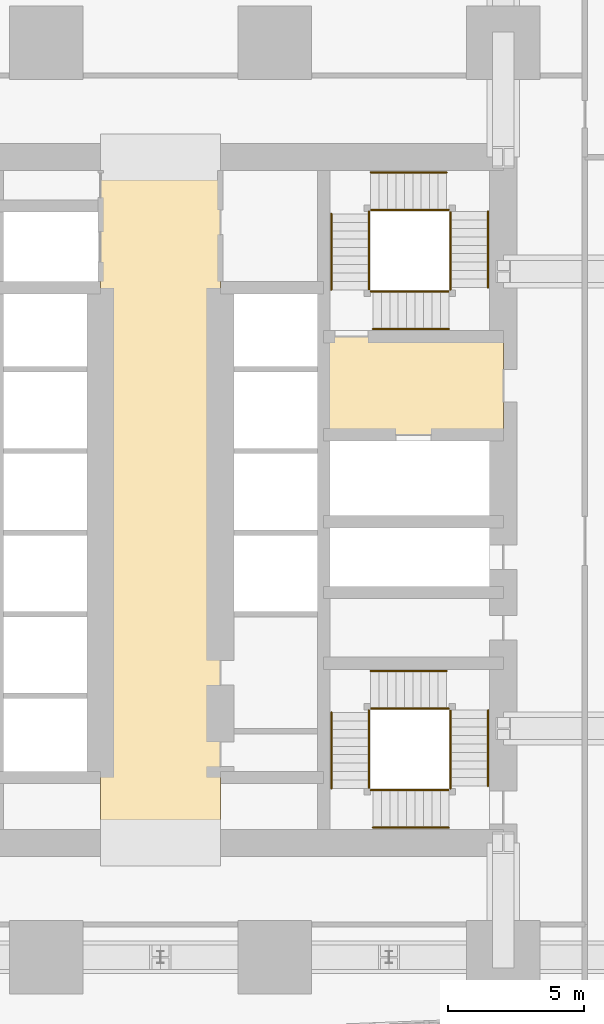
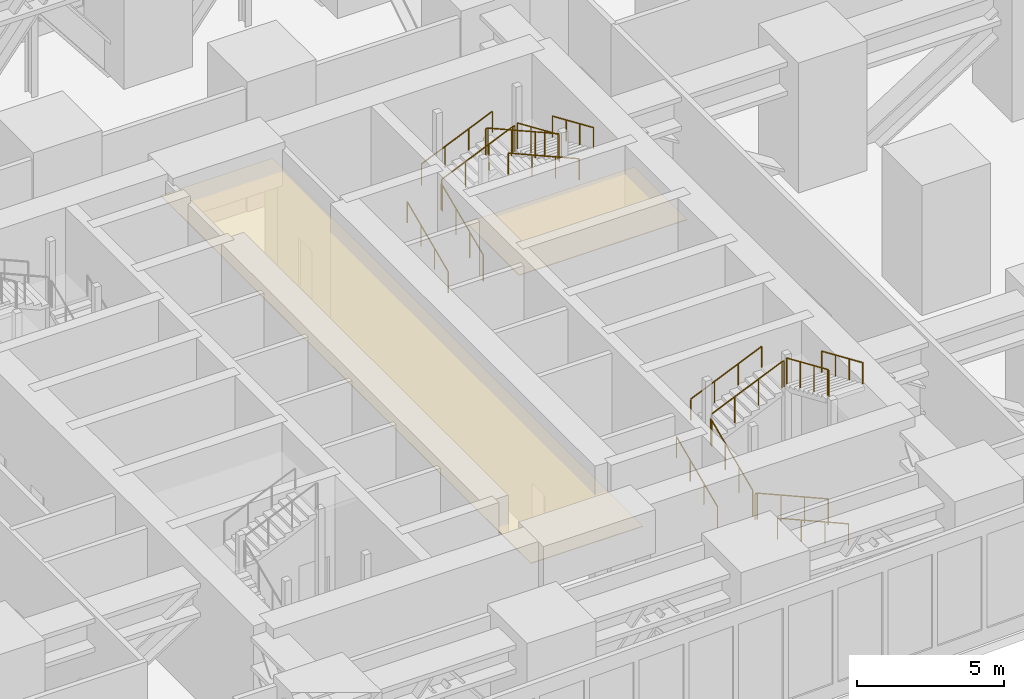
# One storey, part 16 of 16: 24 railings, 2 coverings.
"""IFC4 building model written with IfcOpenShell, lengths in metres."""

from ifc_helpers import new_model, si_unit, direction, frame, origin, origin_2d, place, context, subcontext, project, spatial, polyline, circle, outline, extrude, material, layer, layer_set, type_object, element, save


model = new_model("IFC4")

# Units and contexts
model_context = context("Model", 3, precision=1e-05, world=origin(), true_north=direction((0.0, 1.0)))
body_context = subcontext(model_context, "Body", "Model", "MODEL_VIEW")
ifc_project = project(units=[si_unit("LENGTHUNIT", "METRE"), si_unit("AREAUNIT", "SQUARE_METRE"), si_unit("VOLUMEUNIT", "CUBIC_METRE"), si_unit("PLANEANGLEUNIT", "RADIAN"), si_unit("MASSUNIT", "GRAM", prefix="KILO")], contexts=[model_context])

# Site, building, storey
site_placement = place(None, origin())
site = spatial("IfcSite", under=ifc_project, at=site_placement, CompositionType="ELEMENT")
building_placement = place(site_placement, origin())
building = spatial("IfcBuilding", under=site, at=building_placement, Name="Rekha Terrace Tower", CompositionType="ELEMENT")
storey_placement = place(building_placement, frame((0.0, 0.0, 162.800048828125)))
storey = spatial("IfcBuildingStorey", under=building, at=storey_placement, Name="L41", CompositionType="ELEMENT", Elevation=162.800048828125)

# Coverings
ifc_material_1 = material(Name="Powder-coated aluminium pan", Category="aluminium")
ifc_layer = layer(ifc_material_1, 0.030029296875)
ifc_layer_set = layer_set([ifc_layer], Name="Powder-coated aluminium pan")
covering_type = type_object("IfcCoveringType", Name="CL3 300x1200 metal pan ceiling", PredefinedType="CEILING", material=ifc_layer_set)
covering_1_placement = place(storey_placement, frame((0.0, 0.0, 4.169921875)))
element("IfcCovering", 1, at=covering_1_placement, inside=storey, type_object=covering_type, Name="Ceiling L41-LOBBY", PredefinedType="CEILING", context=body_context, shape_type="SweptSolid", body=[
    extrude(outline(polyline([(40.0, 46.199951171875), (35.60009765625, 46.199951171875), (35.60009765625, 21.0), (40.0, 21.0), (40.0, 46.199951171875)])), origin(), (0.0, 0.0, 1.0), 0.030029296875),
])
covering_2_placement = place(storey_placement, frame((0.0, 0.0, 4.169921875)))
element("IfcCovering", 2, at=covering_2_placement, inside=storey, type_object=covering_type, Name="Ceiling L41-FLB2", PredefinedType="CEILING", context=body_context, shape_type="SweptSolid", body=[
    extrude(outline(polyline([(50.39990234375, 39.60009765625), (43.800048828125, 39.60009765625), (43.800048828125, 36.0), (50.39990234375, 36.0), (50.39990234375, 39.60009765625)])), origin(), (0.0, 0.0, 1.0), 0.030029296875),
])

# Railings
ifc_material_2 = material(Name="Stainless steel balustrade", Category="steel")
railing_type_1 = type_object("IfcRailingType", Name="GR1 1100 stair guard", PredefinedType="GUARDRAIL", material=ifc_material_2)
railing_1_placement = place(storey_placement, frame((45.465087890625, 41.324951171875, 0.135009765625)))
element("IfcRailing", 3, at=railing_1_placement, inside=storey, type_object=railing_type_1, Name="Guard ST2 L41 flight 1", PredefinedType="GUARDRAIL", context=body_context, shape_type="SweptSolid", body=[
    extrude(circle(Radius=0.02392578125, at=origin_2d()), frame((0.0, 0.0, 1.076171875), z_axis=(0.0, 0.916855640006, 0.399218906604), x_axis=(-1.0, 0.0, 0.0)), (0.0, 0.0, 1.0), 3.04296875),
    extrude(circle(Radius=0.02099609375, at=origin_2d()), origin(), (0.0, 0.0, 1.0), 1.052001953125),
    extrude(circle(Radius=0.02099609375, at=origin_2d()), frame((0.0, 0.929931640625, 0.405029296875)), (0.0, 0.0, 1.0), 1.052001953125),
    extrude(circle(Radius=0.02099609375, at=origin_2d()), frame((0.0, 1.860107421875, 0.809814453125)), (0.0, 0.0, 1.0), 1.052001953125),
    extrude(circle(Radius=0.02099609375, at=origin_2d()), frame((0.0, 2.7900390625, 1.21484375)), (0.0, 0.0, 1.0), 1.052001953125),
])
railing_2_placement = place(storey_placement, frame((45.52490234375, 44.260009765625, 1.48486328125)))
element("IfcRailing", 4, at=railing_2_placement, inside=storey, type_object=railing_type_1, Name="Guard ST2 L41 flight 2", PredefinedType="GUARDRAIL", context=body_context, shape_type="SweptSolid", body=[
    extrude(circle(Radius=0.02392578125, at=origin_2d()), frame((0.0, 0.0, 1.076171875), z_axis=(0.916826272601, 0.0, 0.399286345707), x_axis=(0.0, 1.0, 0.0)), (0.0, 0.0, 1.0), 3.043212890625),
    extrude(circle(Radius=0.02099609375, at=origin_2d()), origin(), (0.0, 0.0, 1.0), 1.052001953125),
    extrude(circle(Radius=0.02099609375, at=origin_2d()), frame((0.929931640625, 0.0, 0.405029296875)), (0.0, 0.0, 1.0), 1.052001953125),
    extrude(circle(Radius=0.02099609375, at=origin_2d()), frame((1.860107421875, 0.0, 0.81005859375)), (0.0, 0.0, 1.0), 1.052001953125),
    extrude(circle(Radius=0.02099609375, at=origin_2d()), frame((2.7900390625, 0.0, 1.215087890625)), (0.0, 0.0, 1.0), 1.052001953125),
])
railing_3_placement = place(storey_placement, frame((48.4599609375, 44.199951171875, 2.8349609375)))
element("IfcRailing", 5, at=railing_3_placement, inside=storey, type_object=railing_type_1, Name="Guard ST2 L41 flight 3", PredefinedType="GUARDRAIL", context=body_context, shape_type="SweptSolid", body=[
    extrude(circle(Radius=0.02392578125, at=origin_2d()), frame((0.0, 0.0, 1.076171875), z_axis=(0.0, -0.916826272601, 0.399286345707), x_axis=(1.0, 0.0, 0.0)), (0.0, 0.0, 1.0), 3.043212890625),
    extrude(circle(Radius=0.02099609375, at=origin_2d()), origin(), (0.0, 0.0, 1.0), 1.052001953125),
    extrude(circle(Radius=0.02099609375, at=origin_2d()), frame((0.0, -0.929931640625, 0.405029296875)), (0.0, 0.0, 1.0), 1.052001953125),
    extrude(circle(Radius=0.02099609375, at=origin_2d()), frame((0.0, -1.860107421875, 0.81005859375)), (0.0, 0.0, 1.0), 1.052001953125),
    extrude(circle(Radius=0.02099609375, at=origin_2d()), frame((0.0, -2.7900390625, 1.215087890625)), (0.0, 0.0, 1.0), 1.052001953125),
])
railing_4_placement = place(storey_placement, frame((48.39990234375, 41.264892578125, 4.18505859375)))
element("IfcRailing", 6, at=railing_4_placement, inside=storey, type_object=railing_type_1, Name="Guard ST2 L41 flight 4", PredefinedType="GUARDRAIL", context=body_context, shape_type="SweptSolid", body=[
    extrude(circle(Radius=0.02392578125, at=origin_2d()), frame((0.0, 0.0, 1.076171875), z_axis=(-0.916842852058, 0.0, 0.399248274424), x_axis=(0.0, -1.0, 0.0)), (0.0, 0.0, 1.0), 3.042724609375),
    extrude(circle(Radius=0.02099609375, at=origin_2d()), origin(), (0.0, 0.0, 1.0), 1.052001953125),
    extrude(circle(Radius=0.02099609375, at=origin_2d()), frame((-0.929931640625, 0.0, 0.405029296875)), (0.0, 0.0, 1.0), 1.052001953125),
    extrude(circle(Radius=0.02099609375, at=origin_2d()), frame((-1.85986328125, 0.0, 0.809814453125)), (0.0, 0.0, 1.0), 1.052001953125),
    extrude(circle(Radius=0.02099609375, at=origin_2d()), frame((-2.789794921875, 0.0, 1.21484375)), (0.0, 0.0, 1.0), 1.052001953125),
])
railing_5_placement = place(storey_placement, frame((45.465087890625, 44.114990234375, 1.349853515625)))
element("IfcRailing", 7, at=railing_5_placement, inside=storey, type_object=railing_type_1, Name="Guard ST2 L41 landing 1", PredefinedType="GUARDRAIL", context=body_context, shape_type="SweptSolid", body=[
    extrude(circle(Radius=0.02392578125, at=origin_2d()), frame((0.0, 0.0, 1.076171875), z_axis=(0.0, 1.0, 0.0), x_axis=(-1.0, 0.0, 0.0)), (0.0, 0.0, 1.0), 0.0849609375),
    extrude(circle(Radius=0.02099609375, at=origin_2d()), origin(), (0.0, 0.0, 1.0), 1.052001953125),
    extrude(circle(Radius=0.02099609375, at=origin_2d()), frame((0.0, 0.0849609375, 0.0)), (0.0, 0.0, 1.0), 1.052001953125),
])
railing_6_placement = place(storey_placement, frame((48.31494140625, 44.260009765625, 2.699951171875)))
element("IfcRailing", 8, at=railing_6_placement, inside=storey, type_object=railing_type_1, Name="Guard ST2 L41 landing 2", PredefinedType="GUARDRAIL", context=body_context, shape_type="SweptSolid", body=[
    extrude(circle(Radius=0.02392578125, at=origin_2d()), frame((0.0, 0.0, 1.076171875), z_axis=(1.0, 0.0, 0.0), x_axis=(0.0, 1.0, 0.0)), (0.0, 0.0, 1.0), 0.0849609375),
    extrude(circle(Radius=0.02099609375, at=origin_2d()), origin(), (0.0, 0.0, 1.0), 1.052001953125),
    extrude(circle(Radius=0.02099609375, at=origin_2d()), frame((0.0849609375, 0.0, 0.0)), (0.0, 0.0, 1.0), 1.052001953125),
])
railing_7_placement = place(storey_placement, frame((48.4599609375, 41.324951171875, 4.050048828125)))
element("IfcRailing", 9, at=railing_7_placement, inside=storey, type_object=railing_type_1, Name="Guard ST2 L41 landing 3", PredefinedType="GUARDRAIL", context=body_context, shape_type="SweptSolid", body=[
    extrude(circle(Radius=0.02392578125, at=origin_2d()), frame((0.0, 0.0, 1.076171875), z_axis=(0.0, 1.0, 0.0), x_axis=(-1.0, 0.0, 0.0)), (0.0, 0.0, 1.0), 0.0849609375),
    extrude(circle(Radius=0.02099609375, at=origin_2d()), origin(), (0.0, 0.0, 1.0), 1.052001953125),
    extrude(circle(Radius=0.02099609375, at=origin_2d()), frame((0.0, 0.0849609375, 0.0)), (0.0, 0.0, 1.0), 1.052001953125),
])
railing_8_placement = place(storey_placement, frame((45.52490234375, 41.264892578125, 5.39990234375)))
element("IfcRailing", 10, at=railing_8_placement, inside=storey, type_object=railing_type_1, Name="Guard ST2 L41 landing 4", PredefinedType="GUARDRAIL", context=body_context, shape_type="SweptSolid", body=[
    extrude(circle(Radius=0.02392578125, at=origin_2d()), frame((0.0, 0.0, 1.076171875), z_axis=(1.0, 0.0, 0.0), x_axis=(0.0, 1.0, 0.0)), (0.0, 0.0, 1.0), 0.085205078125),
    extrude(circle(Radius=0.02099609375, at=origin_2d()), origin(), (0.0, 0.0, 1.0), 1.052001953125),
    extrude(circle(Radius=0.02099609375, at=origin_2d()), frame((0.085205078125, 0.0, 0.0)), (0.0, 0.0, 1.0), 1.052001953125),
])
railing_9_placement = place(storey_placement, frame((48.39990234375, 22.93994140625, 0.135009765625)))
element("IfcRailing", 11, at=railing_9_placement, inside=storey, type_object=railing_type_1, Name="Guard ST3 L41 flight 1", PredefinedType="GUARDRAIL", context=body_context, shape_type="SweptSolid", body=[
    extrude(circle(Radius=0.02392578125, at=origin_2d()), frame((0.0, 0.0, 1.076171875), z_axis=(-0.916842852058, 0.0, 0.399248274424), x_axis=(0.0, -1.0, 0.0)), (0.0, 0.0, 1.0), 3.042724609375),
    extrude(circle(Radius=0.02099609375, at=origin_2d()), origin(), (0.0, 0.0, 1.0), 1.052001953125),
    extrude(circle(Radius=0.02099609375, at=origin_2d()), frame((-0.929931640625, 0.0, 0.405029296875)), (0.0, 0.0, 1.0), 1.052001953125),
    extrude(circle(Radius=0.02099609375, at=origin_2d()), frame((-1.85986328125, 0.0, 0.809814453125)), (0.0, 0.0, 1.0), 1.052001953125),
    extrude(circle(Radius=0.02099609375, at=origin_2d()), frame((-2.789794921875, 0.0, 1.21484375)), (0.0, 0.0, 1.0), 1.052001953125),
])
railing_10_placement = place(storey_placement, frame((45.465087890625, 23.0, 1.48486328125)))
element("IfcRailing", 12, at=railing_10_placement, inside=storey, type_object=railing_type_1, Name="Guard ST3 L41 flight 2", PredefinedType="GUARDRAIL", context=body_context, shape_type="SweptSolid", body=[
    extrude(circle(Radius=0.02392578125, at=origin_2d()), frame((0.0, 0.0, 1.076171875), z_axis=(0.0, 0.916826272601, 0.399286345707), x_axis=(-1.0, 0.0, 0.0)), (0.0, 0.0, 1.0), 3.043212890625),
    extrude(circle(Radius=0.02099609375, at=origin_2d()), origin(), (0.0, 0.0, 1.0), 1.052001953125),
    extrude(circle(Radius=0.02099609375, at=origin_2d()), frame((0.0, 0.929931640625, 0.405029296875)), (0.0, 0.0, 1.0), 1.052001953125),
    extrude(circle(Radius=0.02099609375, at=origin_2d()), frame((0.0, 1.860107421875, 0.81005859375)), (0.0, 0.0, 1.0), 1.052001953125),
    extrude(circle(Radius=0.02099609375, at=origin_2d()), frame((0.0, 2.7900390625, 1.215087890625)), (0.0, 0.0, 1.0), 1.052001953125),
])
railing_11_placement = place(storey_placement, frame((45.52490234375, 25.93505859375, 2.8349609375)))
element("IfcRailing", 13, at=railing_11_placement, inside=storey, type_object=railing_type_1, Name="Guard ST3 L41 flight 3", PredefinedType="GUARDRAIL", context=body_context, shape_type="SweptSolid", body=[
    extrude(circle(Radius=0.02392578125, at=origin_2d()), frame((0.0, 0.0, 1.076171875), z_axis=(0.916826272601, 0.0, 0.399286345707), x_axis=(0.0, 1.0, 0.0)), (0.0, 0.0, 1.0), 3.043212890625),
    extrude(circle(Radius=0.02099609375, at=origin_2d()), origin(), (0.0, 0.0, 1.0), 1.052001953125),
    extrude(circle(Radius=0.02099609375, at=origin_2d()), frame((0.929931640625, 0.0, 0.405029296875)), (0.0, 0.0, 1.0), 1.052001953125),
    extrude(circle(Radius=0.02099609375, at=origin_2d()), frame((1.860107421875, 0.0, 0.81005859375)), (0.0, 0.0, 1.0), 1.052001953125),
    extrude(circle(Radius=0.02099609375, at=origin_2d()), frame((2.7900390625, 0.0, 1.215087890625)), (0.0, 0.0, 1.0), 1.052001953125),
])
railing_12_placement = place(storey_placement, frame((48.4599609375, 25.875, 4.18505859375)))
element("IfcRailing", 14, at=railing_12_placement, inside=storey, type_object=railing_type_1, Name="Guard ST3 L41 flight 4", PredefinedType="GUARDRAIL", context=body_context, shape_type="SweptSolid", body=[
    extrude(circle(Radius=0.02392578125, at=origin_2d()), frame((0.0, 0.0, 1.076171875), z_axis=(0.0, -0.916855640006, 0.399218906604), x_axis=(1.0, 0.0, 0.0)), (0.0, 0.0, 1.0), 3.04296875),
    extrude(circle(Radius=0.02099609375, at=origin_2d()), origin(), (0.0, 0.0, 1.0), 1.052001953125),
    extrude(circle(Radius=0.02099609375, at=origin_2d()), frame((0.0, -0.929931640625, 0.405029296875)), (0.0, 0.0, 1.0), 1.052001953125),
    extrude(circle(Radius=0.02099609375, at=origin_2d()), frame((0.0, -1.860107421875, 0.809814453125)), (0.0, 0.0, 1.0), 1.052001953125),
    extrude(circle(Radius=0.02099609375, at=origin_2d()), frame((0.0, -2.7900390625, 1.21484375)), (0.0, 0.0, 1.0), 1.052001953125),
])
railing_13_placement = place(storey_placement, frame((45.610107421875, 22.93994140625, 1.349853515625)))
element("IfcRailing", 15, at=railing_13_placement, inside=storey, type_object=railing_type_1, Name="Guard ST3 L41 landing 1", PredefinedType="GUARDRAIL", context=body_context, shape_type="SweptSolid", body=[
    extrude(circle(Radius=0.02392578125, at=origin_2d()), frame((0.0, 0.0, 1.076171875), z_axis=(-1.0, 0.0, 0.0), x_axis=(0.0, -1.0, 0.0)), (0.0, 0.0, 1.0), 0.085205078125),
    extrude(circle(Radius=0.02099609375, at=origin_2d()), origin(), (0.0, 0.0, 1.0), 1.052001953125),
    extrude(circle(Radius=0.02099609375, at=origin_2d()), frame((-0.085205078125, 0.0, 0.0)), (0.0, 0.0, 1.0), 1.052001953125),
])
railing_14_placement = place(storey_placement, frame((45.465087890625, 25.7900390625, 2.699951171875)))
element("IfcRailing", 16, at=railing_14_placement, inside=storey, type_object=railing_type_1, Name="Guard ST3 L41 landing 2", PredefinedType="GUARDRAIL", context=body_context, shape_type="SweptSolid", body=[
    extrude(circle(Radius=0.02392578125, at=origin_2d()), frame((0.0, 0.0, 1.076171875), z_axis=(0.0, 1.0, 0.0), x_axis=(-1.0, 0.0, 0.0)), (0.0, 0.0, 1.0), 0.0849609375),
    extrude(circle(Radius=0.02099609375, at=origin_2d()), origin(), (0.0, 0.0, 1.0), 1.052001953125),
    extrude(circle(Radius=0.02099609375, at=origin_2d()), frame((0.0, 0.0849609375, 0.0)), (0.0, 0.0, 1.0), 1.052001953125),
])
railing_15_placement = place(storey_placement, frame((48.39990234375, 25.93505859375, 4.050048828125)))
element("IfcRailing", 17, at=railing_15_placement, inside=storey, type_object=railing_type_1, Name="Guard ST3 L41 landing 3", PredefinedType="GUARDRAIL", context=body_context, shape_type="SweptSolid", body=[
    extrude(circle(Radius=0.02392578125, at=origin_2d()), frame((0.0, 0.0, 1.076171875), z_axis=(-1.0, 0.0, 0.0), x_axis=(0.0, -1.0, 0.0)), (0.0, 0.0, 1.0), 0.0849609375),
    extrude(circle(Radius=0.02099609375, at=origin_2d()), origin(), (0.0, 0.0, 1.0), 1.052001953125),
    extrude(circle(Radius=0.02099609375, at=origin_2d()), frame((-0.0849609375, 0.0, 0.0)), (0.0, 0.0, 1.0), 1.052001953125),
])
railing_16_placement = place(storey_placement, frame((48.4599609375, 23.0, 5.39990234375)))
element("IfcRailing", 18, at=railing_16_placement, inside=storey, type_object=railing_type_1, Name="Guard ST3 L41 landing 4", PredefinedType="GUARDRAIL", context=body_context, shape_type="SweptSolid", body=[
    extrude(circle(Radius=0.02392578125, at=origin_2d()), frame((0.0, 0.0, 1.076171875), z_axis=(0.0, 1.0, 0.0), x_axis=(-1.0, 0.0, 0.0)), (0.0, 0.0, 1.0), 0.0849609375),
    extrude(circle(Radius=0.02099609375, at=origin_2d()), origin(), (0.0, 0.0, 1.0), 1.052001953125),
    extrude(circle(Radius=0.02099609375, at=origin_2d()), frame((0.0, 0.0849609375, 0.0)), (0.0, 0.0, 1.0), 1.052001953125),
])
ifc_material_3 = material(Name="Stainless steel tube", Category="steel")
railing_type_2 = type_object("IfcRailingType", Name="HR1 900 stair handrail", PredefinedType="HANDRAIL", material=ifc_material_3)
railing_17_placement = place(storey_placement, frame((44.0849609375, 41.324951171875, 0.135009765625)))
element("IfcRailing", 19, at=railing_17_placement, inside=storey, type_object=railing_type_2, Name="Handrail ST2 L41 flight 1", PredefinedType="HANDRAIL", context=body_context, shape_type="SweptSolid", body=[
    extrude(circle(Radius=0.02392578125, at=origin_2d()), frame((0.0, 0.0, 0.8759765625), z_axis=(0.0, 0.916855640006, 0.399218906604), x_axis=(-1.0, 0.0, 0.0)), (0.0, 0.0, 1.0), 3.04296875),
    extrude(circle(Radius=0.02099609375, at=origin_2d()), origin(), (0.0, 0.0, 1.0), 0.851806640625),
    extrude(circle(Radius=0.02099609375, at=origin_2d()), frame((0.0, 0.929931640625, 0.405029296875)), (0.0, 0.0, 1.0), 0.851806640625),
    extrude(circle(Radius=0.02099609375, at=origin_2d()), frame((0.0, 1.860107421875, 0.809814453125)), (0.0, 0.0, 1.0), 0.851806640625),
    extrude(circle(Radius=0.02099609375, at=origin_2d()), frame((0.0, 2.7900390625, 1.21484375)), (0.0, 0.0, 1.0), 0.851806640625),
])
railing_18_placement = place(storey_placement, frame((45.52490234375, 45.639892578125, 1.48486328125)))
element("IfcRailing", 20, at=railing_18_placement, inside=storey, type_object=railing_type_2, Name="Handrail ST2 L41 flight 2", PredefinedType="HANDRAIL", context=body_context, shape_type="SweptSolid", body=[
    extrude(circle(Radius=0.02392578125, at=origin_2d()), frame((0.0, 0.0, 0.8759765625), z_axis=(0.916826272601, 0.0, 0.399286345707), x_axis=(0.0, 1.0, 0.0)), (0.0, 0.0, 1.0), 3.043212890625),
    extrude(circle(Radius=0.02099609375, at=origin_2d()), origin(), (0.0, 0.0, 1.0), 0.851806640625),
    extrude(circle(Radius=0.02099609375, at=origin_2d()), frame((0.929931640625, 0.0, 0.405029296875)), (0.0, 0.0, 1.0), 0.851806640625),
    extrude(circle(Radius=0.02099609375, at=origin_2d()), frame((1.860107421875, 0.0, 0.81005859375)), (0.0, 0.0, 1.0), 0.851806640625),
    extrude(circle(Radius=0.02099609375, at=origin_2d()), frame((2.7900390625, 0.0, 1.215087890625)), (0.0, 0.0, 1.0), 0.851806640625),
])
railing_19_placement = place(storey_placement, frame((49.840087890625, 44.199951171875, 2.8349609375)))
element("IfcRailing", 21, at=railing_19_placement, inside=storey, type_object=railing_type_2, Name="Handrail ST2 L41 flight 3", PredefinedType="HANDRAIL", context=body_context, shape_type="SweptSolid", body=[
    extrude(circle(Radius=0.02392578125, at=origin_2d()), frame((0.0, 0.0, 0.8759765625), z_axis=(0.0, -0.916826272601, 0.399286345707), x_axis=(1.0, 0.0, 0.0)), (0.0, 0.0, 1.0), 3.043212890625),
    extrude(circle(Radius=0.02099609375, at=origin_2d()), origin(), (0.0, 0.0, 1.0), 0.851806640625),
    extrude(circle(Radius=0.02099609375, at=origin_2d()), frame((0.0, -0.929931640625, 0.405029296875)), (0.0, 0.0, 1.0), 0.851806640625),
    extrude(circle(Radius=0.02099609375, at=origin_2d()), frame((0.0, -1.860107421875, 0.81005859375)), (0.0, 0.0, 1.0), 0.851806640625),
    extrude(circle(Radius=0.02099609375, at=origin_2d()), frame((0.0, -2.7900390625, 1.215087890625)), (0.0, 0.0, 1.0), 0.851806640625),
])
for number, where, name in (
    (22, (48.39990234375, 39.885009765625, 4.18505859375), "Handrail ST2 L41 flight 4"),
    (23, (48.39990234375, 21.56005859375, 0.135009765625), "Handrail ST3 L41 flight 1"),
):
    element("IfcRailing", number, at=place(storey_placement, frame(where)), inside=storey, type_object=railing_type_2, Name=name, PredefinedType="HANDRAIL", context=body_context, shape_type="SweptSolid", body=[
        extrude(circle(Radius=0.02392578125, at=origin_2d()), frame((0.0, 0.0, 0.8759765625), z_axis=(-0.916842852058, 0.0, 0.399248274424), x_axis=(0.0, -1.0, 0.0)), (0.0, 0.0, 1.0), 3.042724609375),
        extrude(circle(Radius=0.02099609375, at=origin_2d()), origin(), (0.0, 0.0, 1.0), 0.851806640625),
        extrude(circle(Radius=0.02099609375, at=origin_2d()), frame((-0.929931640625, 0.0, 0.405029296875)), (0.0, 0.0, 1.0), 0.851806640625),
        extrude(circle(Radius=0.02099609375, at=origin_2d()), frame((-1.85986328125, 0.0, 0.809814453125)), (0.0, 0.0, 1.0), 0.851806640625),
        extrude(circle(Radius=0.02099609375, at=origin_2d()), frame((-2.789794921875, 0.0, 1.21484375)), (0.0, 0.0, 1.0), 0.851806640625),
    ])
railing_20_placement = place(storey_placement, frame((44.0849609375, 23.0, 1.48486328125)))
element("IfcRailing", 24, at=railing_20_placement, inside=storey, type_object=railing_type_2, Name="Handrail ST3 L41 flight 2", PredefinedType="HANDRAIL", context=body_context, shape_type="SweptSolid", body=[
    extrude(circle(Radius=0.02392578125, at=origin_2d()), frame((0.0, 0.0, 0.8759765625), z_axis=(0.0, 0.916826272601, 0.399286345707), x_axis=(-1.0, 0.0, 0.0)), (0.0, 0.0, 1.0), 3.043212890625),
    extrude(circle(Radius=0.02099609375, at=origin_2d()), origin(), (0.0, 0.0, 1.0), 0.851806640625),
    extrude(circle(Radius=0.02099609375, at=origin_2d()), frame((0.0, 0.929931640625, 0.405029296875)), (0.0, 0.0, 1.0), 0.851806640625),
    extrude(circle(Radius=0.02099609375, at=origin_2d()), frame((0.0, 1.860107421875, 0.81005859375)), (0.0, 0.0, 1.0), 0.851806640625),
    extrude(circle(Radius=0.02099609375, at=origin_2d()), frame((0.0, 2.7900390625, 1.215087890625)), (0.0, 0.0, 1.0), 0.851806640625),
])
railing_21_placement = place(storey_placement, frame((45.52490234375, 27.31494140625, 2.8349609375)))
element("IfcRailing", 25, at=railing_21_placement, inside=storey, type_object=railing_type_2, Name="Handrail ST3 L41 flight 3", PredefinedType="HANDRAIL", context=body_context, shape_type="SweptSolid", body=[
    extrude(circle(Radius=0.02392578125, at=origin_2d()), frame((0.0, 0.0, 0.8759765625), z_axis=(0.916826272601, 0.0, 0.399286345707), x_axis=(0.0, 1.0, 0.0)), (0.0, 0.0, 1.0), 3.043212890625),
    extrude(circle(Radius=0.02099609375, at=origin_2d()), origin(), (0.0, 0.0, 1.0), 0.851806640625),
    extrude(circle(Radius=0.02099609375, at=origin_2d()), frame((0.929931640625, 0.0, 0.405029296875)), (0.0, 0.0, 1.0), 0.851806640625),
    extrude(circle(Radius=0.02099609375, at=origin_2d()), frame((1.860107421875, 0.0, 0.81005859375)), (0.0, 0.0, 1.0), 0.851806640625),
    extrude(circle(Radius=0.02099609375, at=origin_2d()), frame((2.7900390625, 0.0, 1.215087890625)), (0.0, 0.0, 1.0), 0.851806640625),
])
railing_22_placement = place(storey_placement, frame((49.840087890625, 25.875, 4.18505859375)))
element("IfcRailing", 26, at=railing_22_placement, inside=storey, type_object=railing_type_2, Name="Handrail ST3 L41 flight 4", PredefinedType="HANDRAIL", context=body_context, shape_type="SweptSolid", body=[
    extrude(circle(Radius=0.02392578125, at=origin_2d()), frame((0.0, 0.0, 0.8759765625), z_axis=(0.0, -0.916855640006, 0.399218906604), x_axis=(1.0, 0.0, 0.0)), (0.0, 0.0, 1.0), 3.04296875),
    extrude(circle(Radius=0.02099609375, at=origin_2d()), origin(), (0.0, 0.0, 1.0), 0.851806640625),
    extrude(circle(Radius=0.02099609375, at=origin_2d()), frame((0.0, -0.929931640625, 0.405029296875)), (0.0, 0.0, 1.0), 0.851806640625),
    extrude(circle(Radius=0.02099609375, at=origin_2d()), frame((0.0, -1.860107421875, 0.809814453125)), (0.0, 0.0, 1.0), 0.851806640625),
    extrude(circle(Radius=0.02099609375, at=origin_2d()), frame((0.0, -2.7900390625, 1.21484375)), (0.0, 0.0, 1.0), 0.851806640625),
])

save(model, "model.ifc")
